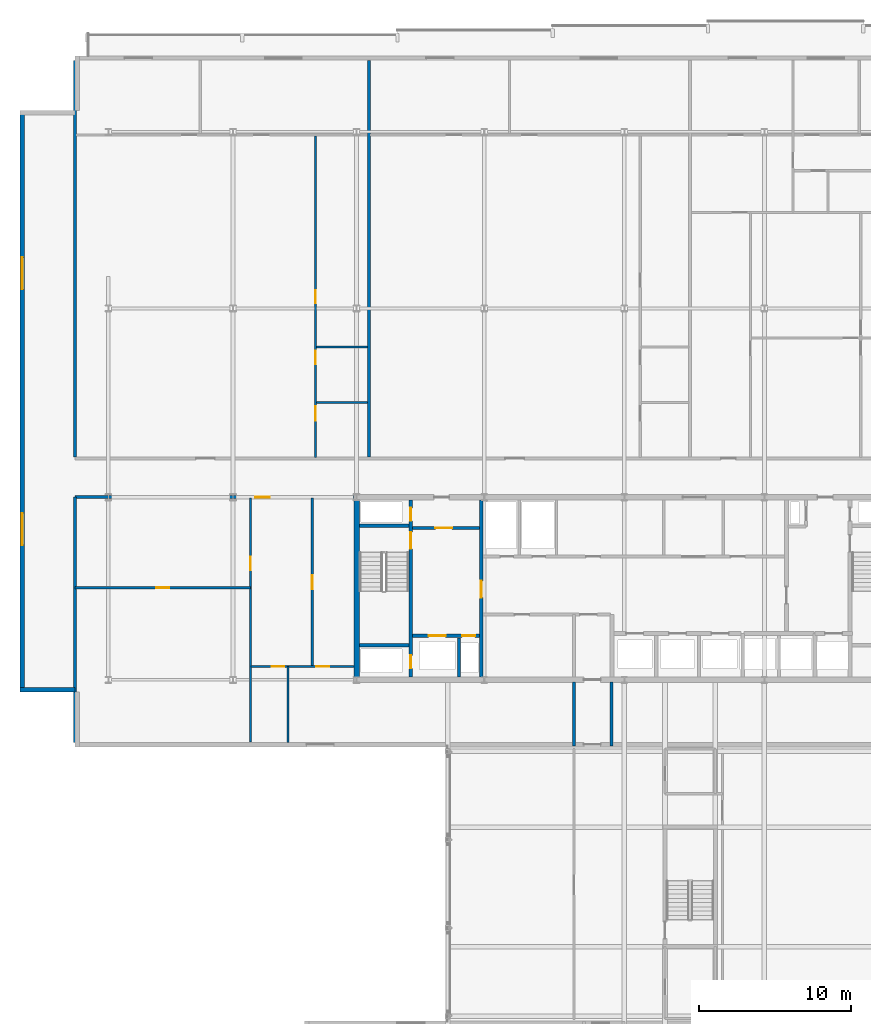
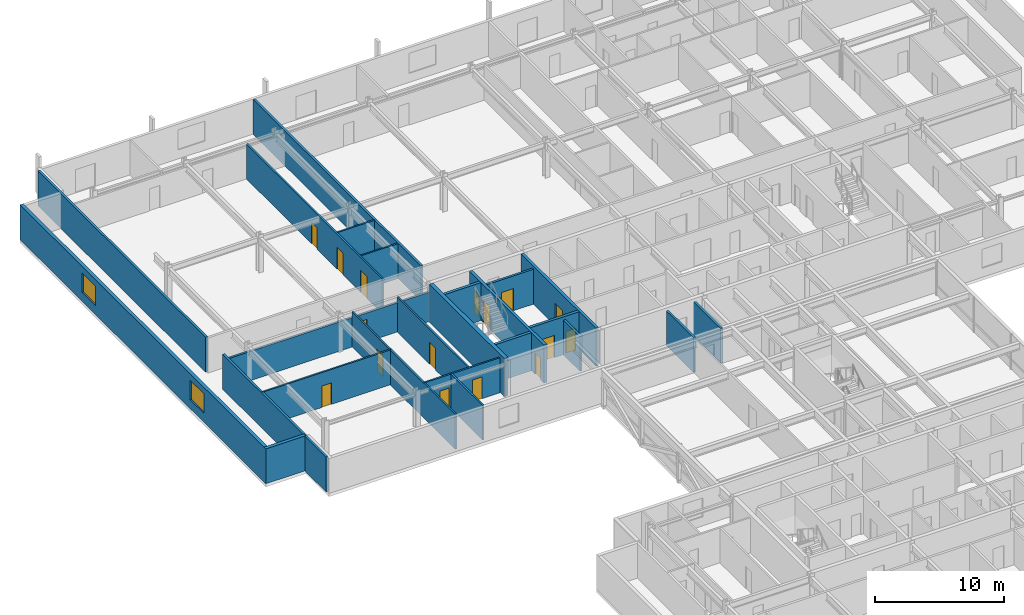
# One storey, part 24 of 36: 24 walls, 16 doors, 2 windows, 18 openings.
"""IFC4 building model written with IfcOpenShell, lengths in metres."""

from ifc_helpers import new_model, si_unit, direction, frame, frame_2d, origin, place, context, subcontext, project, spatial, rectangle, extrude, material, layer, layer_set, type_object, element, fill, save


model = new_model("IFC4")

# Units and contexts
model_context = context("Model", 3, precision=1e-05, world=origin(), true_north=direction((0.0, 1.0)))
body_context = subcontext(model_context, "Body", "Model", "MODEL_VIEW")
ifc_project = project(units=[si_unit("LENGTHUNIT", "METRE"), si_unit("AREAUNIT", "SQUARE_METRE"), si_unit("VOLUMEUNIT", "CUBIC_METRE"), si_unit("PLANEANGLEUNIT", "RADIAN"), si_unit("MASSUNIT", "GRAM", prefix="KILO")], contexts=[model_context])

# Site, building, storey
site_placement = place(None, origin())
site = spatial("IfcSite", under=ifc_project, at=site_placement, CompositionType="ELEMENT")
building_placement = place(site_placement, origin())
building = spatial("IfcBuilding", under=site, at=building_placement, Name="Korimba Cascade Residences", CompositionType="ELEMENT")
storey_placement = place(building_placement, frame((0.0, 0.0, 146.5)))
storey = spatial("IfcBuildingStorey", under=building, at=storey_placement, Name="L42", CompositionType="ELEMENT", Elevation=146.5)

# Wall, openings, windows
ifc_material_1 = material(Name="Precast concrete C40/50", Category="concrete")
ifc_layer_1 = layer(ifc_material_1, 0.300048828125)
ifc_layer_set_1 = layer_set([ifc_layer_1], Name="Precast concrete C40/50")
wall_type_1 = type_object("IfcWallType", Name="EW-STONE-300", PredefinedType="STANDARD", material=ifc_layer_set_1)
wall_1_placement = place(storey_placement, frame((54.14990234375, 92.60009765625, 0.0), z_axis=(0.0, 0.0, 1.0), x_axis=(0.0, -1.0, 0.0)))
wall_1 = element("IfcWall", 1, at=wall_1_placement, inside=storey, type_object=wall_type_1, Name="L42 T1 Perimeter Stone Wall E09", PredefinedType="STANDARD", context=body_context, shape_type="SweptSolid", body=[
    extrude(rectangle(XDim=38.2001953125, YDim=0.300048828125, at=frame_2d((19.10009765625, 0.0))), origin(), (0.0, 0.0, 1.0), 3.31005859375),
])
opening_1_placement = place(wall_1_placement, frame((9.64599609375, 0.0, 0.85009765625)))
opening_1 = element("IfcOpeningElement", 2, at=opening_1_placement, cuts=wall_1, Name="Opening W-03", PredefinedType="OPENING", context=body_context, shape_type="SweptSolid", body=[
    extrude(rectangle(XDim=2.10009765625, YDim=1.85009765625, at=frame_2d((1.050048828125, 0.925048828125))), frame((0.0, 0.16015625, 0.0), z_axis=(0.0, -1.0, 0.0), x_axis=(1.0, 0.0, 0.0)), (0.0, 0.0, 1.0), 0.320068359375),
])
opening_2_placement = place(wall_1_placement, frame((26.4541015625, 0.0, 0.85009765625)))
opening_2 = element("IfcOpeningElement", 3, at=opening_2_placement, cuts=wall_1, Name="Opening W-03", PredefinedType="OPENING", context=body_context, shape_type="SweptSolid", body=[
    extrude(rectangle(XDim=2.10009765625, YDim=1.85009765625, at=frame_2d((1.050048828125, 0.925048828125))), frame((0.0, 0.16015625, 0.0), z_axis=(0.0, -1.0, 0.0), x_axis=(1.0, 0.0, 0.0)), (0.0, 0.0, 1.0), 0.320068359375),
])
ifc_material_2 = material(Name="Double-Glazed Aluminium Window", Category="aluminium")
window_type = type_object("IfcWindowType", Name="WIN-CRN-2100", PartitioningType="DOUBLE_PANEL_HORIZONTAL", PredefinedType="WINDOW", material=ifc_material_2)
window_1_placement = place(opening_1_placement, origin())
window_1 = element("IfcWindow", 4, at=window_1_placement, inside=storey, type_object=window_type, Name="L42 T1 End View Window 9.1", OverallHeight=1.85009765625, OverallWidth=2.10009765625, PartitioningType="DOUBLE_PANEL_HORIZONTAL", PredefinedType="WINDOW", context=body_context, shape_type="SweptSolid", body=[
    extrude(rectangle(XDim=2.10009765625, YDim=1.85009765625, at=frame_2d((1.050048828125, 0.925048828125))), frame((0.0, 0.030029296875, 0.0), z_axis=(0.0, -1.0, 0.0), x_axis=(1.0, 0.0, 0.0)), (0.0, 0.0, 1.0), 0.06005859375),
])
fill(opening_1, window_1)
window_2_placement = place(opening_2_placement, origin())
window_2 = element("IfcWindow", 5, at=window_2_placement, inside=storey, type_object=window_type, Name="L42 T1 End View Window 9.2", OverallHeight=1.85009765625, OverallWidth=2.10009765625, PartitioningType="DOUBLE_PANEL_HORIZONTAL", PredefinedType="WINDOW", context=body_context, shape_type="SweptSolid", body=[
    extrude(rectangle(XDim=2.10009765625, YDim=1.85009765625, at=frame_2d((1.050048828125, 0.925048828125))), frame((0.0, 0.030029296875, 0.0), z_axis=(0.0, -1.0, 0.0), x_axis=(1.0, 0.0, 0.0)), (0.0, 0.0, 1.0), 0.06005859375),
])
fill(opening_2, window_2)

# Walls
wall_2_placement = place(storey_placement, frame((54.0, 54.550048828125, 0.0), z_axis=(0.0, 0.0, 1.0), x_axis=(1.0, 0.0, 0.0)))
element("IfcWall", 6, at=wall_2_placement, inside=storey, type_object=wall_type_1, Name="L42 T1 Perimeter Stone Wall E10", PredefinedType="STANDARD", context=body_context, shape_type="SweptSolid", body=[
    extrude(rectangle(XDim=3.60009765625, YDim=0.300048828125, at=frame_2d((1.800048828125, 0.0))), origin(), (0.0, 0.0, 1.0), 3.31005859375),
])
ifc_material_3 = material(Name="Concrete C65/80", Category="concrete")
ifc_layer_2 = layer(ifc_material_3, 0.35009765625)
ifc_layer_set_2 = layer_set([ifc_layer_2], Name="Concrete C65/80")
wall_type_2 = type_object("IfcWallType", Name="WAL-CORE-350", PredefinedType="SHEAR", material=ifc_layer_set_2)
wall_3_placement = place(storey_placement, frame((76.125, 55.375, 0.0), z_axis=(0.0, 0.0, 1.0), x_axis=(0.0, 1.0, 0.0)))
element("IfcWall", 7, at=wall_3_placement, inside=storey, type_object=wall_type_2, Name="L42 Core Shear Wall CW-L42-T1-W", PredefinedType="SHEAR", context=body_context, shape_type="SweptSolid", body=[
    extrude(rectangle(XDim=11.64990234375, YDim=0.35009765625, at=frame_2d((5.824951171875, 0.0))), origin(), (0.0, 0.0, 1.0), 3.60009765625),
])
ifc_layer_3 = layer(ifc_material_1, 0.199951171875)
ifc_layer_set_3 = layer_set([ifc_layer_3], Name="Precast concrete C40/50")
wall_type_3 = type_object("IfcWallType", Name="WAL-IT-200", PredefinedType="PARTITIONING", material=ifc_layer_set_3)
wall_4_placement = place(storey_placement, frame((57.60009765625, 51.10009765625, 0.0), z_axis=(0.0, 0.0, 1.0), x_axis=(0.0, 1.0, 0.0)))
element("IfcWall", 8, at=wall_4_placement, inside=storey, type_object=wall_type_3, Name="L42 Partition Wall WAL-L42-T1-FW-WL", PredefinedType="PARTITIONING", context=body_context, shape_type="SweptSolid", body=[
    extrude(rectangle(XDim=16.099853515625, YDim=0.199951171875, at=frame_2d((8.0498046875, 0.0))), origin(), (0.0, 0.0, 1.0), 3.31005859375),
])

# Wall, opening, door
wall_5_placement = place(storey_placement, frame((57.60009765625, 67.199951171875, 0.0), z_axis=(0.0, 0.0, 1.0), x_axis=(1.0, 0.0, 0.0)))
wall_5 = element("IfcWall", 9, at=wall_5_placement, inside=storey, type_object=wall_type_3, Name="L42 Partition Wall WAL-L42-T1-FW-N", PredefinedType="PARTITIONING", context=body_context, shape_type="SweptSolid", body=[
    extrude(rectangle(XDim=18.349853515625, YDim=0.199951171875, at=frame_2d((9.1748046875, 0.0))), origin(), (0.0, 0.0, 1.0), 2.773193359375),
])
opening_3_placement = place(wall_5_placement, frame((11.8701171875, 0.0, 0.0)))
opening_3 = element("IfcOpeningElement", 10, at=opening_3_placement, cuts=wall_5, Name="Opening D-UN1", PredefinedType="OPENING", context=body_context, shape_type="SweptSolid", body=[
    extrude(rectangle(XDim=0.949951171875, YDim=2.14990234375, at=frame_2d((0.47509765625, 1.074951171875))), frame((0.0, 0.10986328125, 0.0), z_axis=(0.0, -1.0, 0.0), x_axis=(1.0, 0.0, 0.0)), (0.0, 0.0, 1.0), 0.219970703125),
])
ifc_material_4 = material(Name="Fire-Rated Hardwood Apartment Entrance Door", Category="wood")
door_type_1 = type_object("IfcDoorType", Name="DR-FD60-950", OperationType="NOTDEFINED", PredefinedType="DOOR", material=ifc_material_4)
door_1_placement = place(opening_3_placement, origin())
door_1 = element("IfcDoor", 11, at=door_1_placement, inside=storey, type_object=door_type_1, Name="L42-T1-FW Entrance Door", OperationType="SINGLE_SWING_RIGHT", OverallHeight=2.14990234375, OverallWidth=0.949951171875, PredefinedType="DOOR", context=body_context, shape_type="SweptSolid", body=[
    extrude(rectangle(XDim=0.949951171875, YDim=2.14990234375, at=frame_2d((0.47509765625, 1.074951171875))), frame((0.0, 0.02490234375, 0.0), z_axis=(0.0, -1.0, 0.0), x_axis=(1.0, 0.0, 0.0)), (0.0, 0.0, 1.0), 0.050048828125),
])
fill(opening_3, door_1)

# Walls
for number, where, z_axis, x_axis, name in (
    (12, (57.60009765625, 69.830078125, 0.0), (0.0, 0.0, 1.0), (0.0, 1.0, 0.0), "L42 Partition Wall WAL-L42-T1-BNDWL"),
    (13, (76.914306640625, 69.830078125, 0.0), (0.0, 0.0, 1.0), (0.0, 1.0, 0.0), "L42 Partition Wall WAL-L42-T1-DEM-1"),
):
    element("IfcWall", number, at=place(storey_placement, frame(where, z_axis=z_axis, x_axis=x_axis)), inside=storey, type_object=wall_type_3, Name=name, PredefinedType="PARTITIONING", context=body_context, shape_type="SweptSolid", body=[
        extrude(rectangle(XDim=26.06982421875, YDim=0.199951171875, at=frame_2d((13.034912109375, 0.0))), origin(), (0.0, 0.0, 1.0), 3.31005859375),
    ])

# Wall, opening, door
ifc_material_5 = material(Name="Insulated Acoustic Stud Partition", Category="gypsum")
ifc_layer_4 = layer(ifc_material_5, 0.14990234375)
ifc_layer_set_4 = layer_set([ifc_layer_4], Name="Insulated Acoustic Stud Partition")
wall_type_4 = type_object("IfcWallType", Name="WAL-PART-150", PredefinedType="PARTITIONING", material=ifc_layer_set_4)
wall_6_placement = place(storey_placement, frame((57.60009765625, 61.25, 0.0), z_axis=(0.0, 0.0, 1.0), x_axis=(1.0, 0.0, 0.0)))
wall_6 = element("IfcWall", 14, at=wall_6_placement, inside=storey, type_object=wall_type_4, Name="L42 Partition Wall WAL-L42-T1-FW-STH", PredefinedType="PARTITIONING", context=body_context, shape_type="SweptSolid", body=[
    extrude(rectangle(XDim=11.5498046875, YDim=0.14990234375, at=frame_2d((5.77490234375, 0.0))), origin(), (0.0, 0.0, 1.0), 3.31005859375),
])
opening_4_placement = place(wall_6_placement, frame((5.35498046875, 0.0, 0.0)))
opening_4 = element("IfcOpeningElement", 15, at=opening_4_placement, cuts=wall_6, Name="Opening D-BT1", PredefinedType="OPENING", context=body_context, shape_type="SweptSolid", body=[
    extrude(rectangle(XDim=0.840087890625, YDim=2.0400390625, at=frame_2d((0.419921875, 1.02001953125))), frame((0.0, 0.0849609375, 0.0), z_axis=(0.0, -1.0, 0.0), x_axis=(1.0, 0.0, 0.0)), (0.0, 0.0, 1.0), 0.169921875),
])
ifc_material_6 = material(Name="Moisture-Resistant Bathroom Timber Door", Category="wood")
door_type_2 = type_object("IfcDoorType", Name="DR-INT-850", OperationType="NOTDEFINED", PredefinedType="DOOR", material=ifc_material_6)
door_2_placement = place(opening_4_placement, origin())
door_2 = element("IfcDoor", 16, at=door_2_placement, inside=storey, type_object=door_type_2, Name="L42-T1-FW Dressing Store Door", OperationType="SINGLE_SWING_LEFT", OverallHeight=2.0400390625, OverallWidth=0.840087890625, PredefinedType="DOOR", context=body_context, shape_type="SweptSolid", body=[
    extrude(rectangle(XDim=0.840087890625, YDim=2.0400390625, at=frame_2d((0.419921875, 1.02001953125))), frame((0.0, 0.02490234375, 0.0), z_axis=(0.0, -1.0, 0.0), x_axis=(1.0, 0.0, 0.0)), (0.0, 0.0, 1.0), 0.050048828125),
])
fill(opening_4, door_2)

wall_7_placement = place(storey_placement, frame((69.14990234375, 51.10009765625, 0.0), z_axis=(0.0, 0.0, 1.0), x_axis=(0.0, 1.0, 0.0)))
wall_7 = element("IfcWall", 17, at=wall_7_placement, inside=storey, type_object=wall_type_4, Name="L42 Partition Wall WAL-L42-T1-FW-STV", PredefinedType="PARTITIONING", context=body_context, shape_type="SweptSolid", body=[
    extrude(rectangle(XDim=16.0498046875, YDim=0.14990234375, at=frame_2d((8.02490234375, 0.0))), origin(), (0.0, 0.0, 1.0), 3.31005859375),
])
opening_5_placement = place(wall_7_placement, frame((11.300048828125, 0.0, 0.0)))
opening_5 = element("IfcOpeningElement", 18, at=opening_5_placement, cuts=wall_7, Name="Opening D-IN2", PredefinedType="OPENING", context=body_context, shape_type="SweptSolid", body=[
    extrude(rectangle(XDim=0.8798828125, YDim=2.06005859375, at=frame_2d((0.43994140625, 1.030029296875))), frame((0.0, 0.0849609375, 0.0), z_axis=(0.0, -1.0, 0.0), x_axis=(1.0, 0.0, 0.0)), (0.0, 0.0, 1.0), 0.169921875),
])
ifc_material_7 = material(Name="Acoustic Timber Bedroom Door", Category="wood")
door_type_3 = type_object("IfcDoorType", Name="DR-INT-880", OperationType="NOTDEFINED", PredefinedType="DOOR", material=ifc_material_7)
door_3_placement = place(opening_5_placement, origin())
door_3 = element("IfcDoor", 19, at=door_3_placement, inside=storey, type_object=door_type_3, Name="L42-T1-FW Study Door", OperationType="SINGLE_SWING_RIGHT", OverallHeight=2.06005859375, OverallWidth=0.8798828125, PredefinedType="DOOR", context=body_context, shape_type="SweptSolid", body=[
    extrude(rectangle(XDim=0.8798828125, YDim=2.06005859375, at=frame_2d((0.43994140625, 1.030029296875))), frame((0.0, 0.02490234375, 0.0), z_axis=(0.0, -1.0, 0.0), x_axis=(1.0, 0.0, 0.0)), (0.0, 0.0, 1.0), 0.050048828125),
])
fill(opening_5, door_3)

wall_8_placement = place(storey_placement, frame((73.199951171875, 56.070068359375, 0.0), z_axis=(0.0, 0.0, 1.0), x_axis=(0.0, 1.0, 0.0)))
wall_8 = element("IfcWall", 20, at=wall_8_placement, inside=storey, type_object=wall_type_4, Name="L42 Partition Wall WAL-L42-T1-FW-VN", PredefinedType="PARTITIONING", context=body_context, shape_type="SweptSolid", body=[
    extrude(rectangle(XDim=11.079833984375, YDim=0.14990234375, at=frame_2d((5.5400390625, 0.0))), origin(), (0.0, 0.0, 1.0), 3.31005859375),
])
opening_6_placement = place(wall_8_placement, frame((5.080078125, 0.0, 0.0)))
opening_6 = element("IfcOpeningElement", 21, at=opening_6_placement, cuts=wall_8, Name="Opening D-IN1", PredefinedType="OPENING", context=body_context, shape_type="SweptSolid", body=[
    extrude(rectangle(XDim=0.919921875, YDim=2.080078125, at=frame_2d((0.4599609375, 1.0400390625))), frame((0.0, 0.0849609375, 0.0), z_axis=(0.0, -1.0, 0.0), x_axis=(1.0, 0.0, 0.0)), (0.0, 0.0, 1.0), 0.169921875),
])
ifc_material_8 = material(Name="Acoustic Timber Living Door", Category="wood")
door_type_4 = type_object("IfcDoorType", Name="DR-INT-920", OperationType="NOTDEFINED", PredefinedType="DOOR", material=ifc_material_8)
door_4_placement = place(opening_6_placement, origin())
door_4 = element("IfcDoor", 22, at=door_4_placement, inside=storey, type_object=door_type_4, Name="L42-T1-FW Living Door", OperationType="SINGLE_SWING_LEFT", OverallHeight=2.080078125, OverallWidth=0.919921875, PredefinedType="DOOR", context=body_context, shape_type="SweptSolid", body=[
    extrude(rectangle(XDim=0.919921875, YDim=2.080078125, at=frame_2d((0.4599609375, 1.0400390625))), frame((0.0, 0.02490234375, 0.0), z_axis=(0.0, -1.0, 0.0), x_axis=(1.0, 0.0, 0.0)), (0.0, 0.0, 1.0), 0.050048828125),
])
fill(opening_6, door_4)

# Wall
wall_9_placement = place(storey_placement, frame((71.60009765625, 51.10009765625, 0.0), z_axis=(0.0, 0.0, 1.0), x_axis=(0.0, 1.0, 0.0)))
element("IfcWall", 23, at=wall_9_placement, inside=storey, type_object=wall_type_4, Name="L42 Partition Wall WAL-L42-T1-FW-VS", PredefinedType="PARTITIONING", context=body_context, shape_type="SweptSolid", body=[
    extrude(rectangle(XDim=4.969970703125, YDim=0.14990234375, at=frame_2d((2.48486328125, 0.0))), origin(), (0.0, 0.0, 1.0), 3.31005859375),
])

# Wall, openings, doors
wall_10_placement = place(storey_placement, frame((69.169921875, 56.070068359375, 0.0), z_axis=(0.0, 0.0, 1.0), x_axis=(1.0, 0.0, 0.0)))
wall_10 = element("IfcWall", 24, at=wall_10_placement, inside=storey, type_object=wall_type_4, Name="L42 Partition Wall WAL-L42-T1-FW-H", PredefinedType="PARTITIONING", context=body_context, shape_type="SweptSolid", body=[
    extrude(rectangle(XDim=6.760009765625, YDim=0.14990234375, at=frame_2d((3.3798828125, 0.0))), origin(), (0.0, 0.0, 1.0), 3.31005859375),
])
opening_7_placement = place(wall_10_placement, frame((1.3623046875, 0.0, 0.0)))
opening_7 = element("IfcOpeningElement", 25, at=opening_7_placement, cuts=wall_10, Name="Opening D-BT1", PredefinedType="OPENING", context=body_context, shape_type="SweptSolid", body=[
    extrude(rectangle(XDim=0.840087890625, YDim=2.0400390625, at=frame_2d((0.419921875, 1.02001953125))), frame((0.0, 0.0849609375, 0.0), z_axis=(0.0, -1.0, 0.0), x_axis=(1.0, 0.0, 0.0)), (0.0, 0.0, 1.0), 0.169921875),
])
opening_8_placement = place(wall_10_placement, frame((4.276611328125, 0.0, 0.0)))
opening_8 = element("IfcOpeningElement", 26, at=opening_8_placement, cuts=wall_10, Name="Opening D-IN2", PredefinedType="OPENING", context=body_context, shape_type="SweptSolid", body=[
    extrude(rectangle(XDim=0.8798828125, YDim=2.06005859375, at=frame_2d((0.43994140625, 1.030029296875))), frame((0.0, 0.0849609375, 0.0), z_axis=(0.0, -1.0, 0.0), x_axis=(1.0, 0.0, 0.0)), (0.0, 0.0, 1.0), 0.169921875),
])
door_5_placement = place(opening_7_placement, origin())
door_5 = element("IfcDoor", 27, at=door_5_placement, inside=storey, type_object=door_type_2, Name="L42-T1-FW Bathroom Door", OperationType="SINGLE_SWING_RIGHT", OverallHeight=2.0400390625, OverallWidth=0.840087890625, PredefinedType="DOOR", context=body_context, shape_type="SweptSolid", body=[
    extrude(rectangle(XDim=0.840087890625, YDim=2.0400390625, at=frame_2d((0.419921875, 1.02001953125))), frame((0.0, 0.02490234375, 0.0), z_axis=(0.0, -1.0, 0.0), x_axis=(1.0, 0.0, 0.0)), (0.0, 0.0, 1.0), 0.050048828125),
])
fill(opening_7, door_5)
door_6_placement = place(opening_8_placement, origin())
door_6 = element("IfcDoor", 28, at=door_6_placement, inside=storey, type_object=door_type_3, Name="L42-T1-FW Bedroom Door", OperationType="SINGLE_SWING_LEFT", OverallHeight=2.06005859375, OverallWidth=0.8798828125, PredefinedType="DOOR", context=body_context, shape_type="SweptSolid", body=[
    extrude(rectangle(XDim=0.8798828125, YDim=2.06005859375, at=frame_2d((0.43994140625, 1.030029296875))), frame((0.0, 0.02490234375, 0.0), z_axis=(0.0, -1.0, 0.0), x_axis=(1.0, 0.0, 0.0)), (0.0, 0.0, 1.0), 0.050048828125),
])
fill(opening_8, door_6)

# Walls
for number, where, z_axis, x_axis, name in (
    (29, (73.474365234375, 73.419921875, 0.0), (0.0, 0.0, 1.0), (1.0, 0.0, 0.0), "L42 Partition Wall WAL-L42-T1-U01-WCH"),
    (30, (73.474365234375, 77.070068359375, 0.0), (0.0, 0.0, 1.0), (1.0, 0.0, 0.0), "L42 Partition Wall WAL-L42-T1-U01-WCH2"),
):
    element("IfcWall", number, at=place(storey_placement, frame(where, z_axis=z_axis, x_axis=x_axis)), inside=storey, type_object=wall_type_4, Name=name, PredefinedType="PARTITIONING", context=body_context, shape_type="SweptSolid", body=[
        extrude(rectangle(XDim=3.35986328125, YDim=0.14990234375, at=frame_2d((1.679931640625, 0.0))), origin(), (0.0, 0.0, 1.0), 3.31005859375),
    ])

# Wall, openings, doors
wall_11_placement = place(storey_placement, frame((73.414306640625, 69.81005859375, 0.0), z_axis=(0.0, 0.0, 1.0), x_axis=(0.0, 1.0, 0.0)))
wall_11 = element("IfcWall", 31, at=wall_11_placement, inside=storey, type_object=wall_type_4, Name="L42 Partition Wall WAL-L42-T1-U01-WCV", PredefinedType="PARTITIONING", context=body_context, shape_type="SweptSolid", body=[
    extrude(rectangle(XDim=21.1298828125, YDim=0.14990234375, at=frame_2d((10.56494140625, 0.0))), origin(), (0.0, 0.0, 1.0), 3.31005859375),
])
opening_9_placement = place(wall_11_placement, frame((2.406005859375, 0.0, 0.0)))
opening_9 = element("IfcOpeningElement", 32, at=opening_9_placement, cuts=wall_11, Name="Opening D-AC1", PredefinedType="OPENING", context=body_context, shape_type="SweptSolid", body=[
    extrude(rectangle(XDim=0.9599609375, YDim=2.10009765625, at=frame_2d((0.47998046875, 1.050048828125))), frame((0.0, 0.0849609375, 0.0), z_axis=(0.0, -1.0, 0.0), x_axis=(1.0, 0.0, 0.0)), (0.0, 0.0, 1.0), 0.169921875),
])
opening_10_placement = place(wall_11_placement, frame((6.132568359375, 0.0, 0.0)))
opening_10 = element("IfcOpeningElement", 33, at=opening_10_placement, cuts=wall_11, Name="Opening D-IN2", PredefinedType="OPENING", context=body_context, shape_type="SweptSolid", body=[
    extrude(rectangle(XDim=0.8798828125, YDim=2.06005859375, at=frame_2d((0.43994140625, 1.030029296875))), frame((0.0, 0.0849609375, 0.0), z_axis=(0.0, -1.0, 0.0), x_axis=(1.0, 0.0, 0.0)), (0.0, 0.0, 1.0), 0.169921875),
])
opening_11_placement = place(wall_11_placement, frame((10.14501953125, 0.0, 0.0)))
opening_11 = element("IfcOpeningElement", 34, at=opening_11_placement, cuts=wall_11, Name="Opening D-BT1", PredefinedType="OPENING", context=body_context, shape_type="SweptSolid", body=[
    extrude(rectangle(XDim=0.840087890625, YDim=2.0400390625, at=frame_2d((0.419921875, 1.02001953125))), frame((0.0, 0.0849609375, 0.0), z_axis=(0.0, -1.0, 0.0), x_axis=(1.0, 0.0, 0.0)), (0.0, 0.0, 1.0), 0.169921875),
])
ifc_material_9 = material(Name="Accessible Acoustic Timber WC Door", Category="wood")
door_type_5 = type_object("IfcDoorType", Name="DR-ACC-950", OperationType="NOTDEFINED", PredefinedType="DOOR", material=ifc_material_9)
door_7_placement = place(opening_9_placement, origin())
door_7 = element("IfcDoor", 35, at=door_7_placement, inside=storey, type_object=door_type_5, Name="L42-T1-U01 Accessible WC Door", OperationType="SINGLE_SWING_LEFT", OverallHeight=2.10009765625, OverallWidth=0.9599609375, PredefinedType="DOOR", context=body_context, shape_type="SweptSolid", body=[
    extrude(rectangle(XDim=0.9599609375, YDim=2.10009765625, at=frame_2d((0.47998046875, 1.050048828125))), frame((0.0, 0.02490234375, 0.0), z_axis=(0.0, -1.0, 0.0), x_axis=(1.0, 0.0, 0.0)), (0.0, 0.0, 1.0), 0.050048828125),
])
fill(opening_9, door_7)
door_8_placement = place(opening_11_placement, origin())
door_8 = element("IfcDoor", 36, at=door_8_placement, inside=storey, type_object=door_type_2, Name="L42-T1-U01 Suite Store Door", OperationType="SINGLE_SWING_LEFT", OverallHeight=2.0400390625, OverallWidth=0.840087890625, PredefinedType="DOOR", context=body_context, shape_type="SweptSolid", body=[
    extrude(rectangle(XDim=0.840087890625, YDim=2.0400390625, at=frame_2d((0.419921875, 1.02001953125))), frame((0.0, 0.02490234375, 0.0), z_axis=(0.0, -1.0, 0.0), x_axis=(1.0, 0.0, 0.0)), (0.0, 0.0, 1.0), 0.050048828125),
])
fill(opening_11, door_8)
door_9_placement = place(opening_10_placement, origin())
door_9 = element("IfcDoor", 37, at=door_9_placement, inside=storey, type_object=door_type_3, Name="L42-T1-U01 Restroom WC Door", OperationType="SINGLE_SWING_RIGHT", OverallHeight=2.06005859375, OverallWidth=0.8798828125, PredefinedType="DOOR", context=body_context, shape_type="SweptSolid", body=[
    extrude(rectangle(XDim=0.8798828125, YDim=2.06005859375, at=frame_2d((0.43994140625, 1.030029296875))), frame((0.0, 0.02490234375, 0.0), z_axis=(0.0, -1.0, 0.0), x_axis=(1.0, 0.0, 0.0)), (0.0, 0.0, 1.0), 0.050048828125),
])
fill(opening_10, door_9)

# Wall
ifc_material_10 = material(Name="Concrete C40/50", Category="concrete")
ifc_layer_5 = layer(ifc_material_10, 0.199951171875)
ifc_layer_set_5 = layer_set([ifc_layer_5], Name="Concrete C40/50")
wall_type_5 = type_object("IfcWallType", Name="WAL-PART-200", PredefinedType="PARTITIONING", material=ifc_layer_set_5)
wall_12_placement = place(storey_placement, frame((82.85009765625, 55.39990234375, 0.0), z_axis=(0.0, 0.0, 1.0), x_axis=(0.0, 1.0, 0.0)))
element("IfcWall", 38, at=wall_12_placement, inside=storey, type_object=wall_type_5, Name="L42 Partition Wall CW-L42-T1-FFLDIV", PredefinedType="PARTITIONING", context=body_context, shape_type="SweptSolid", body=[
    extrude(rectangle(XDim=2.56005859375, YDim=0.199951171875, at=frame_2d((1.280029296875, 0.0))), origin(), (0.0, 0.0, 1.0), 3.31005859375),
])

# Wall, opening, door
wall_13_placement = place(storey_placement, frame((79.7900390625, 65.179931640625, 0.0), z_axis=(0.0, 0.0, 1.0), x_axis=(1.0, 0.0, 0.0)))
wall_13 = element("IfcWall", 39, at=wall_13_placement, inside=storey, type_object=wall_type_5, Name="L42 Partition Wall CW-L42-T1-FFLN", PredefinedType="PARTITIONING", context=body_context, shape_type="SweptSolid", body=[
    extrude(rectangle(XDim=4.389892578125, YDim=0.199951171875, at=frame_2d((2.19482421875, 0.0))), origin(), (0.0, 0.0, 1.0), 3.31005859375),
])
opening_12_placement = place(wall_13_placement, frame((1.5, 0.0, 0.0)))
opening_12 = element("IfcOpeningElement", 40, at=opening_12_placement, cuts=wall_13, Name="Opening D-FD1", PredefinedType="OPENING", context=body_context, shape_type="SweptSolid", body=[
    extrude(rectangle(XDim=1.10009765625, YDim=2.10009765625, at=frame_2d((0.550048828125, 1.050048828125))), frame((0.0, 0.10986328125, 0.0), z_axis=(0.0, -1.0, 0.0), x_axis=(1.0, 0.0, 0.0)), (0.0, 0.0, 1.0), 0.219970703125),
])
ifc_material_11 = material(Name="Fire-Rated Steel Core Door", Category="steel")
door_type_6 = type_object("IfcDoorType", Name="DR-FD120-1100", OperationType="NOTDEFINED", PredefinedType="DOOR", material=ifc_material_11)
door_10_placement = place(opening_12_placement, origin())
door_10 = element("IfcDoor", 41, at=door_10_placement, inside=storey, type_object=door_type_6, Name="L42 West Firefighting Lobby Door", OperationType="SINGLE_SWING_LEFT", OverallHeight=2.10009765625, OverallWidth=1.10009765625, PredefinedType="DOOR", context=body_context, shape_type="SweptSolid", body=[
    extrude(rectangle(XDim=1.10009765625, YDim=2.10009765625, at=frame_2d((0.550048828125, 1.050048828125))), frame((0.0, 0.02490234375, 0.0), z_axis=(0.0, -1.0, 0.0), x_axis=(1.0, 0.0, 0.0)), (0.0, 0.0, 1.0), 0.050048828125),
])
fill(opening_12, door_10)

# Walls
for number, where, z_axis, x_axis, name in (
    (42, (90.39990234375, 50.85009765625, 0.0), (0.0, 0.0, 1.0), (0.0, 1.0, 0.0), "L42 Partition Wall WAL-L42-T1-SBRGW"),
    (43, (92.85009765625, 50.85009765625, 0.0), (0.0, 0.0, 1.0), (0.0, 1.0, 0.0), "L42 Partition Wall WAL-L42-T1-SBRGE"),
):
    element("IfcWall", number, at=place(storey_placement, frame(where, z_axis=z_axis, x_axis=x_axis)), inside=storey, type_object=wall_type_5, Name=name, PredefinedType="PARTITIONING", context=body_context, shape_type="SweptSolid", body=[
        extrude(rectangle(XDim=4.199951171875, YDim=0.199951171875, at=frame_2d((2.10009765625, 0.0))), origin(), (0.0, 0.0, 1.0), 3.31005859375),
    ])

# Wall, openings, doors
ifc_material_12 = material(Name="Concrete C50/60", Category="concrete")
ifc_layer_6 = layer(ifc_material_12, 0.25)
ifc_layer_set_6 = layer_set([ifc_layer_6], Name="Concrete C50/60")
wall_type_6 = type_object("IfcWallType", Name="WAL-SHAFT-250", PredefinedType="SHEAR", material=ifc_layer_set_6)
wall_14_placement = place(storey_placement, frame((79.6650390625, 55.39990234375, 0.0), z_axis=(0.0, 0.0, 1.0), x_axis=(0.0, 1.0, 0.0)))
wall_14 = element("IfcWall", 44, at=wall_14_placement, inside=storey, type_object=wall_type_6, Name="L42 Core Shear Wall CW-L42-T1-STW1E", PredefinedType="SHEAR", context=body_context, shape_type="SweptSolid", body=[
    extrude(rectangle(XDim=11.60009765625, YDim=0.25, at=frame_2d((5.800048828125, 0.0))), origin(), (0.0, 0.0, 1.0), 3.60009765625),
])
opening_13_placement = place(wall_14_placement, frame((0.550048828125, 0.0, 0.0)))
opening_13 = element("IfcOpeningElement", 45, at=opening_13_placement, cuts=wall_14, Name="Opening D-RS1", PredefinedType="OPENING", context=body_context, shape_type="SweptSolid", body=[
    extrude(rectangle(XDim=0.85009765625, YDim=2.050048828125, at=frame_2d((0.425048828125, 1.02490234375))), frame((0.0, 0.135009765625, 0.0), z_axis=(0.0, -1.0, 0.0), x_axis=(1.0, 0.0, 0.0)), (0.0, 0.0, 1.0), 0.27001953125),
])
opening_14_placement = place(wall_14_placement, frame((8.39990234375, 0.0, 0.0)))
opening_14 = element("IfcOpeningElement", 46, at=opening_14_placement, cuts=wall_14, Name="Opening D-FD1", PredefinedType="OPENING", context=body_context, shape_type="SweptSolid", body=[
    extrude(rectangle(XDim=1.10009765625, YDim=2.10009765625, at=frame_2d((0.550048828125, 1.050048828125))), frame((0.0, 0.135009765625, 0.0), z_axis=(0.0, -1.0, 0.0), x_axis=(1.0, 0.0, 0.0)), (0.0, 0.0, 1.0), 0.27001953125),
])
opening_15_placement = place(wall_14_placement, frame((10.25, 0.0, 0.0)))
opening_15 = element("IfcOpeningElement", 47, at=opening_15_placement, cuts=wall_14, Name="Opening D-RS1", PredefinedType="OPENING", context=body_context, shape_type="SweptSolid", body=[
    extrude(rectangle(XDim=0.85009765625, YDim=2.050048828125, at=frame_2d((0.425048828125, 1.02490234375))), frame((0.0, 0.135009765625, 0.0), z_axis=(0.0, -1.0, 0.0), x_axis=(1.0, 0.0, 0.0)), (0.0, 0.0, 1.0), 0.27001953125),
])
door_11_placement = place(opening_14_placement, origin())
door_11 = element("IfcDoor", 48, at=door_11_placement, inside=storey, type_object=door_type_6, Name="L42 Fire Stair ST-W1 Door", OperationType="SINGLE_SWING_RIGHT", OverallHeight=2.10009765625, OverallWidth=1.10009765625, PredefinedType="DOOR", context=body_context, shape_type="SweptSolid", body=[
    extrude(rectangle(XDim=1.10009765625, YDim=2.10009765625, at=frame_2d((0.550048828125, 1.050048828125))), frame((0.0, 0.02490234375, 0.0), z_axis=(0.0, -1.0, 0.0), x_axis=(1.0, 0.0, 0.0)), (0.0, 0.0, 1.0), 0.050048828125),
])
fill(opening_14, door_11)
ifc_material_13 = material(Name="Fire-Rated Steel Riser Access Door", Category="steel")
door_type_7 = type_object("IfcDoorType", Name="DR-FD60-850", OperationType="NOTDEFINED", PredefinedType="DOOR", material=ifc_material_13)
door_12_placement = place(opening_13_placement, origin())
door_12 = element("IfcDoor", 49, at=door_12_placement, inside=storey, type_object=door_type_7, Name="L42 Smoke Riser Access Door", OperationType="SINGLE_SWING_LEFT", OverallHeight=2.050048828125, OverallWidth=0.85009765625, PredefinedType="DOOR", context=body_context, shape_type="SweptSolid", body=[
    extrude(rectangle(XDim=0.85009765625, YDim=2.050048828125, at=frame_2d((0.425048828125, 1.02490234375))), frame((0.0, 0.02490234375, 0.0), z_axis=(0.0, -1.0, 0.0), x_axis=(1.0, 0.0, 0.0)), (0.0, 0.0, 1.0), 0.050048828125),
])
fill(opening_13, door_12)
door_13_placement = place(opening_15_placement, origin())
door_13 = element("IfcDoor", 50, at=door_13_placement, inside=storey, type_object=door_type_7, Name="L42 Hydrant Riser Access Door", OperationType="SINGLE_SWING_LEFT", OverallHeight=2.050048828125, OverallWidth=0.85009765625, PredefinedType="DOOR", context=body_context, shape_type="SweptSolid", body=[
    extrude(rectangle(XDim=0.85009765625, YDim=2.050048828125, at=frame_2d((0.425048828125, 1.02490234375))), frame((0.0, 0.02490234375, 0.0), z_axis=(0.0, -1.0, 0.0), x_axis=(1.0, 0.0, 0.0)), (0.0, 0.0, 1.0), 0.050048828125),
])
fill(opening_15, door_13)

# Walls
for number, where, z_axis, x_axis, name in (
    (51, (76.300048828125, 57.47509765625, 0.0), (0.0, 0.0, 1.0), (1.0, 0.0, 0.0), "L42 Core Shear Wall CW-L42-T1-STW1S"),
    (52, (76.300048828125, 65.324951171875, 0.0), (0.0, 0.0, 1.0), (1.0, 0.0, 0.0), "L42 Core Shear Wall CW-L42-T1-STW1N"),
):
    element("IfcWall", number, at=place(storey_placement, frame(where, z_axis=z_axis, x_axis=x_axis)), inside=storey, type_object=wall_type_6, Name=name, PredefinedType="SHEAR", context=body_context, shape_type="SweptSolid", body=[
        extrude(rectangle(XDim=3.239990234375, YDim=0.25, at=frame_2d((1.6201171875, 0.0))), origin(), (0.0, 0.0, 1.0), 3.60009765625),
    ])

# Wall, openings, doors
wall_15_placement = place(storey_placement, frame((79.7900390625, 58.10009765625, 0.0), z_axis=(0.0, 0.0, 1.0), x_axis=(1.0, 0.0, 0.0)))
wall_15 = element("IfcWall", 53, at=wall_15_placement, inside=storey, type_object=wall_type_6, Name="L42 Core Shear Wall CW-L42-T1-FFLS", PredefinedType="SHEAR", context=body_context, shape_type="SweptSolid", body=[
    extrude(rectangle(XDim=4.389892578125, YDim=0.25, at=frame_2d((2.19482421875, 0.0))), origin(), (0.0, 0.0, 1.0), 3.60009765625),
])
opening_16_placement = place(wall_15_placement, frame((1.050048828125, 0.0, 0.0)))
opening_16 = element("IfcOpeningElement", 54, at=opening_16_placement, cuts=wall_15, Name="Opening LD-01", PredefinedType="OPENING", context=body_context, shape_type="SweptSolid", body=[
    extrude(rectangle(XDim=1.1201171875, YDim=2.1201171875, at=frame_2d((0.56005859375, 1.06005859375))), frame((0.0, 0.135009765625, 0.0), z_axis=(0.0, -1.0, 0.0), x_axis=(1.0, 0.0, 0.0)), (0.0, 0.0, 1.0), 0.27001953125),
])
opening_17_placement = place(wall_15_placement, frame((3.260009765625, 0.0, 0.0)))
opening_17 = element("IfcOpeningElement", 55, at=opening_17_placement, cuts=wall_15, Name="Opening D-RS1", PredefinedType="OPENING", context=body_context, shape_type="SweptSolid", body=[
    extrude(rectangle(XDim=0.85009765625, YDim=2.050048828125, at=frame_2d((0.425048828125, 1.02490234375))), frame((0.0, 0.135009765625, 0.0), z_axis=(0.0, -1.0, 0.0), x_axis=(1.0, 0.0, 0.0)), (0.0, 0.0, 1.0), 0.27001953125),
])
door_14_placement = place(opening_17_placement, origin())
door_14 = element("IfcDoor", 56, at=door_14_placement, inside=storey, type_object=door_type_7, Name="L42 Pressurisation Riser Door", OperationType="SINGLE_SWING_RIGHT", OverallHeight=2.050048828125, OverallWidth=0.85009765625, PredefinedType="DOOR", context=body_context, shape_type="SweptSolid", body=[
    extrude(rectangle(XDim=0.85009765625, YDim=2.050048828125, at=frame_2d((0.425048828125, 1.02490234375))), frame((0.0, 0.02490234375, 0.0), z_axis=(0.0, -1.0, 0.0), x_axis=(1.0, 0.0, 0.0)), (0.0, 0.0, 1.0), 0.050048828125),
])
fill(opening_17, door_14)
ifc_material_14 = material(Name="Stainless Steel Lift Landing Sliding Door", Category="steel")
door_type_8 = type_object("IfcDoorType", Name="DR-LIFT-1100", OperationType="NOTDEFINED", PredefinedType="DOOR", material=ifc_material_14)
door_15_placement = place(opening_16_placement, origin())
door_15 = element("IfcDoor", 57, at=door_15_placement, inside=storey, type_object=door_type_8, Name="L42 Firefighting Lift Landing Door FFL-W1", OperationType="SLIDING_TO_LEFT", OverallHeight=2.1201171875, OverallWidth=1.1201171875, PredefinedType="DOOR", context=body_context, shape_type="SweptSolid", body=[
    extrude(rectangle(XDim=1.1201171875, YDim=2.1201171875, at=frame_2d((0.56005859375, 1.06005859375))), frame((0.0, 0.02490234375, 0.0), z_axis=(0.0, -1.0, 0.0), x_axis=(1.0, 0.0, 0.0)), (0.0, 0.0, 1.0), 0.050048828125),
])
fill(opening_16, door_15)

# Wall, opening, door
wall_16_placement = place(storey_placement, frame((84.300048828125, 55.39990234375, 0.0), z_axis=(0.0, 0.0, 1.0), x_axis=(0.0, 1.0, 0.0)))
wall_16 = element("IfcWall", 58, at=wall_16_placement, inside=storey, type_object=wall_type_6, Name="L42 Core Shear Wall CW-L42-T1-FFLE", PredefinedType="SHEAR", context=body_context, shape_type="SweptSolid", body=[
    extrude(rectangle(XDim=11.60009765625, YDim=0.25, at=frame_2d((5.800048828125, 0.0))), origin(), (0.0, 0.0, 1.0), 3.60009765625),
])
opening_18_placement = place(wall_16_placement, frame((5.199951171875, 0.0, 0.0)))
opening_18 = element("IfcOpeningElement", 59, at=opening_18_placement, cuts=wall_16, Name="Opening D-FD1", PredefinedType="OPENING", context=body_context, shape_type="SweptSolid", body=[
    extrude(rectangle(XDim=1.10009765625, YDim=2.10009765625, at=frame_2d((0.550048828125, 1.050048828125))), frame((0.0, 0.135009765625, 0.0), z_axis=(0.0, -1.0, 0.0), x_axis=(1.0, 0.0, 0.0)), (0.0, 0.0, 1.0), 0.27001953125),
])
door_16_placement = place(opening_18_placement, origin())
door_16 = element("IfcDoor", 60, at=door_16_placement, inside=storey, type_object=door_type_6, Name="L42 Firefighting Lobby to Lift Lobby Door", OperationType="SINGLE_SWING_RIGHT", OverallHeight=2.10009765625, OverallWidth=1.10009765625, PredefinedType="DOOR", context=body_context, shape_type="SweptSolid", body=[
    extrude(rectangle(XDim=1.10009765625, YDim=2.10009765625, at=frame_2d((0.550048828125, 1.050048828125))), frame((0.0, 0.02490234375, 0.0), z_axis=(0.0, -1.0, 0.0), x_axis=(1.0, 0.0, 0.0)), (0.0, 0.0, 1.0), 0.050048828125),
])
fill(opening_18, door_16)

save(model, "model.ifc")
